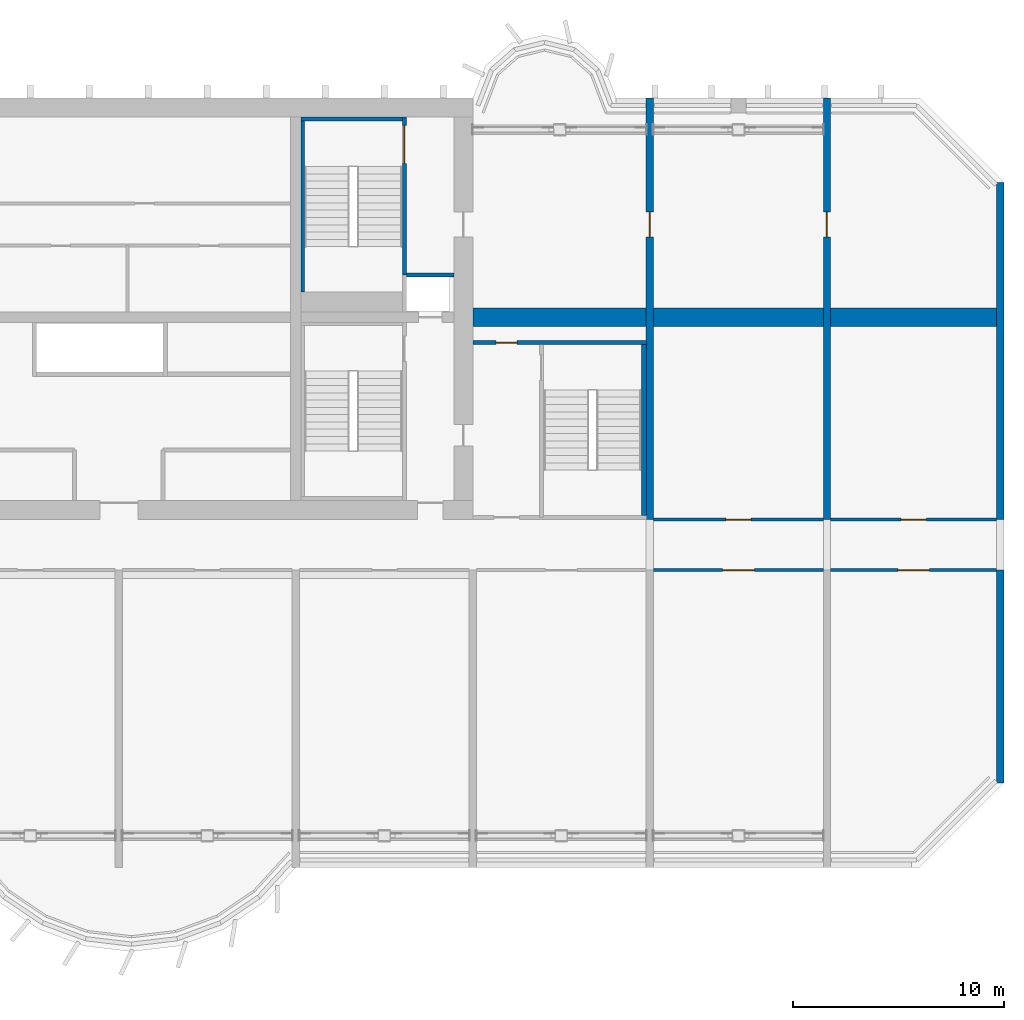
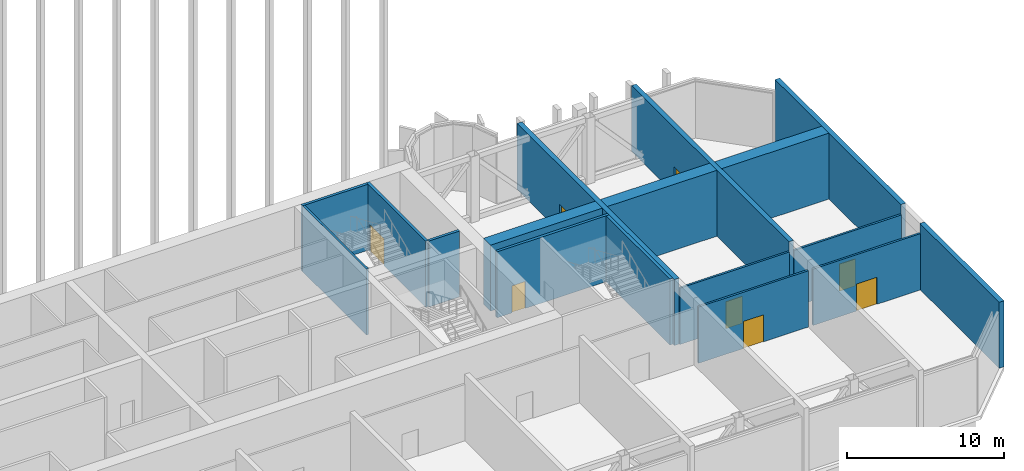
# One storey, part 8 of 17: 17 walls, 8 doors, 8 openings.
"""IFC4 building model written with IfcOpenShell, lengths in metres."""

from ifc_helpers import new_model, si_unit, direction, frame, frame_2d, origin, place, context, subcontext, project, spatial, rectangle, extrude, source, transform, mapped, material, layer, layer_set, type_object, element, fill, save


model = new_model("IFC4")

# Units and contexts
model_context = context("Model", 3, precision=1e-05, world=origin(), true_north=direction((0.0, 1.0)))
body_context = subcontext(model_context, "Body", "Model", "MODEL_VIEW")
ifc_project = project(units=[si_unit("LENGTHUNIT", "METRE"), si_unit("AREAUNIT", "SQUARE_METRE"), si_unit("VOLUMEUNIT", "CUBIC_METRE"), si_unit("PLANEANGLEUNIT", "RADIAN"), si_unit("MASSUNIT", "GRAM", prefix="KILO")], contexts=[model_context])

# Site, building, storey
site_placement = place(None, origin())
site = spatial("IfcSite", under=ifc_project, at=site_placement, CompositionType="ELEMENT")
building_placement = place(site_placement, origin())
building = spatial("IfcBuilding", under=site, at=building_placement, Name="Vanashikhar Sky Hotel", CompositionType="ELEMENT")
storey_placement = place(building_placement, frame((0.0, 0.0, 140.800048828125)))
storey = spatial("IfcBuildingStorey", under=building, at=storey_placement, Name="L34", CompositionType="ELEMENT", Elevation=140.800048828125)

# Walls
ifc_material_1 = material(Name="Concrete M70", Category="concrete")
ifc_layer_1 = layer(ifc_material_1, 0.35009765625)
ifc_layer_set_1 = layer_set([ifc_layer_1], Name="RC shear wall 350 Concrete M70")
wall_type_1 = type_object("IfcWallType", Name="RC shear wall 350 Concrete M70", PredefinedType="SHEAR", material=ifc_layer_set_1)
shared_shape_1 = source(origin(), body_context, "Body", "SweptSolid", [
    extrude(rectangle(XDim=10.10009765625, YDim=0.35009765625, at=frame_2d((5.050048828125, 0.0))), origin(), (0.0, 0.0, 1.0), 5.119873046875),
])
wall_1_placement = place(storey_placement, frame((100.625, 9.5, 0.0), z_axis=(0.0, 0.0, 1.0), x_axis=(0.0, 1.0, 0.0)))
element("IfcWall", 1, at=wall_1_placement, inside=storey, type_object=wall_type_1, Name="CW-L34-XW13-1", PredefinedType="SHEAR", context=body_context, shape_type="MappedRepresentation", body=[
    mapped(shared_shape_1, transform((0.0, 0.0, 0.0), scale=1.0)),
])
shared_shape_2 = source(origin(), body_context, "Body", "SweptSolid", [
    extrude(rectangle(XDim=16.0, YDim=0.35009765625, at=frame_2d((8.0, 0.0))), origin(), (0.0, 0.0, 1.0), 5.119873046875),
])
wall_2_placement = place(storey_placement, frame((100.625, 22.0, 0.0), z_axis=(0.0, 0.0, 1.0), x_axis=(0.0, 1.0, 0.0)))
element("IfcWall", 2, at=wall_2_placement, inside=storey, type_object=wall_type_1, Name="CW-L34-XW13-2", PredefinedType="SHEAR", context=body_context, shape_type="MappedRepresentation", body=[
    mapped(shared_shape_2, transform((0.0, 0.0, 0.0), scale=1.0)),
])

# Wall, opening, door
shared_shape_3 = source(origin(), body_context, "Body", "SweptSolid", [
    extrude(rectangle(XDim=20.0, YDim=0.35009765625, at=frame_2d((10.0, 0.0))), origin(), (0.0, 0.0, 1.0), 5.119873046875),
])
wall_3_placement = place(storey_placement, frame((84.0, 22.0, 0.0), z_axis=(0.0, 0.0, 1.0), x_axis=(0.0, 1.0, 0.0)))
wall_3 = element("IfcWall", 3, at=wall_3_placement, inside=storey, type_object=wall_type_1, Name="CW-L34-XW11-2", PredefinedType="SHEAR", context=body_context, shape_type="MappedRepresentation", body=[
    mapped(shared_shape_3, transform((0.0, 0.0, 0.0), scale=1.0)),
])
shared_shape_4 = source(origin(), body_context, "Body", "SweptSolid", [
    extrude(rectangle(XDim=1.199951171875, YDim=2.10009765625, at=frame_2d((0.60009765625, 1.050048828125))), frame((0.0, 0.18505859375, 0.0), z_axis=(0.0, -1.0, 0.0), x_axis=(1.0, 0.0, 0.0)), (0.0, 0.0, 1.0), 0.3701171875),
])
opening_1_placement = place(wall_3_placement, frame((13.39990234375, 0.0, 0.0)))
opening_1 = element("IfcOpeningElement", 4, at=opening_1_placement, cuts=wall_3, Name="Opening DC-4-D", PredefinedType="OPENING", context=body_context, shape_type="MappedRepresentation", body=[
    mapped(shared_shape_4, transform((0.0, 0.0, 0.0), scale=1.0)),
])
ifc_material_2 = material(Name="Steel", Category="steel")
door_type_1 = type_object("IfcDoorType", Name="Service door 1200 FD120", OperationType="NOTDEFINED", PredefinedType="DOOR", material=ifc_material_2)
shared_shape_5 = source(origin(), body_context, "Body", "SweptSolid", [
    extrude(rectangle(XDim=1.199951171875, YDim=2.10009765625, at=frame_2d((0.60009765625, 1.050048828125))), frame((0.0, 0.02490234375, 0.0), z_axis=(0.0, -1.0, 0.0), x_axis=(1.0, 0.0, 0.0)), (0.0, 0.0, 1.0), 0.050048828125),
])
door_1_placement = place(opening_1_placement, origin())
door_1 = element("IfcDoor", 5, at=door_1_placement, inside=storey, type_object=door_type_1, Name="Service door 1200 FD120", OperationType="SINGLE_SWING_LEFT", OverallHeight=2.10009765625, OverallWidth=1.199951171875, PredefinedType="DOOR", context=body_context, shape_type="MappedRepresentation", body=[
    mapped(shared_shape_5, transform((0.0, 0.0, 0.0), scale=1.0)),
])
fill(opening_1, door_1)

wall_4_placement = place(storey_placement, frame((92.39990234375, 22.0, 0.0), z_axis=(0.0, 0.0, 1.0), x_axis=(0.0, 1.0, 0.0)))
wall_4 = element("IfcWall", 6, at=wall_4_placement, inside=storey, type_object=wall_type_1, Name="CW-L34-XW12-2", PredefinedType="SHEAR", context=body_context, shape_type="MappedRepresentation", body=[
    mapped(shared_shape_3, transform((0.0, 0.0, 0.0), scale=1.0)),
])
opening_2_placement = place(wall_4_placement, frame((13.39990234375, 0.0, 0.0)))
opening_2 = element("IfcOpeningElement", 7, at=opening_2_placement, cuts=wall_4, Name="Opening DC-4-D", PredefinedType="OPENING", context=body_context, shape_type="MappedRepresentation", body=[
    mapped(shared_shape_4, transform((0.0, 0.0, 0.0), scale=1.0)),
])
door_2_placement = place(opening_2_placement, origin())
door_2 = element("IfcDoor", 8, at=door_2_placement, inside=storey, type_object=door_type_1, Name="Service door 1200 FD120", OperationType="SINGLE_SWING_RIGHT", OverallHeight=2.10009765625, OverallWidth=1.199951171875, PredefinedType="DOOR", context=body_context, shape_type="MappedRepresentation", body=[
    mapped(shared_shape_5, transform((0.0, 0.0, 0.0), scale=1.0)),
])
fill(opening_2, door_2)

# Walls
ifc_layer_2 = layer(ifc_material_1, 0.89990234375)
ifc_layer_set_2 = layer_set([ifc_layer_2], Name="RC outrigger wall 900 Concrete M70")
wall_type_2 = type_object("IfcWallType", Name="RC outrigger wall 900 Concrete M70", PredefinedType="SHEAR", material=ifc_layer_set_2)
shared_shape_6 = source(origin(), body_context, "Body", "SweptSolid", [
    extrude(rectangle(XDim=7.875, YDim=0.89990234375, at=frame_2d((3.9375, 0.0))), origin(), (0.0, 0.0, 1.0), 5.119873046875),
])
wall_5_placement = place(storey_placement, frame((92.574951171875, 31.60009765625, 0.0), z_axis=(0.0, 0.0, 1.0), x_axis=(1.0, 0.0, 0.0)))
element("IfcWall", 9, at=wall_5_placement, inside=storey, type_object=wall_type_2, Name="OW-L34-06", PredefinedType="SHEAR", context=body_context, shape_type="MappedRepresentation", body=[
    mapped(shared_shape_6, transform((0.0, 0.0, 0.0), scale=1.0)),
])
shared_shape_7 = source(origin(), body_context, "Body", "SweptSolid", [
    extrude(rectangle(XDim=8.050048828125, YDim=0.89990234375, at=frame_2d((4.02490234375, 0.0))), origin(), (0.0, 0.0, 1.0), 5.119873046875),
])
wall_6_placement = place(storey_placement, frame((84.175048828125, 31.60009765625, 0.0), z_axis=(0.0, 0.0, 1.0), x_axis=(1.0, 0.0, 0.0)))
element("IfcWall", 10, at=wall_6_placement, inside=storey, type_object=wall_type_2, Name="OW-L34-05", PredefinedType="SHEAR", context=body_context, shape_type="MappedRepresentation", body=[
    mapped(shared_shape_7, transform((0.0, 0.0, 0.0), scale=1.0)),
])
shared_shape_8 = source(origin(), body_context, "Body", "SweptSolid", [
    extrude(rectangle(XDim=8.224853515625, YDim=0.89990234375, at=frame_2d((4.1123046875, 0.0))), origin(), (0.0, 0.0, 1.0), 5.119873046875),
])
wall_7_placement = place(storey_placement, frame((75.60009765625, 31.60009765625, 0.0), z_axis=(0.0, 0.0, 1.0), x_axis=(1.0, 0.0, 0.0)))
element("IfcWall", 11, at=wall_7_placement, inside=storey, type_object=wall_type_2, Name="OW-L34-04", PredefinedType="SHEAR", context=body_context, shape_type="MappedRepresentation", body=[
    mapped(shared_shape_8, transform((0.0, 0.0, 0.0), scale=1.0)),
])

# Wall, opening, door
ifc_material_3 = material(Name="Concrete M50", Category="concrete")
ifc_layer_3 = layer(ifc_material_3, 0.199951171875)
ifc_layer_set_3 = layer_set([ifc_layer_3], Name="Stair wall 200")
wall_type_3 = type_object("IfcWallType", Name="Stair wall 200", PredefinedType="SOLIDWALL", material=ifc_layer_set_3)
shared_shape_9 = source(origin(), body_context, "Body", "SweptSolid", [
    extrude(rectangle(XDim=7.5, YDim=0.199951171875, at=frame_2d((3.75, 0.0))), origin(), (0.0, 0.0, 1.0), 5.119873046875),
])
wall_8_placement = place(storey_placement, frame((72.35009765625, 33.60009765625, 0.0), z_axis=(0.0, 0.0, 1.0), x_axis=(0.0, 1.0, 0.0)))
wall_8 = element("IfcWall", 12, at=wall_8_placement, inside=storey, type_object=wall_type_3, Name="Stair wall 200", PredefinedType="SOLIDWALL", context=body_context, shape_type="MappedRepresentation", body=[
    mapped(shared_shape_9, transform((0.0, 0.0, 0.0), scale=1.0)),
])
shared_shape_10 = source(origin(), body_context, "Body", "SweptSolid", [
    extrude(rectangle(XDim=1.800048828125, YDim=2.10009765625, at=frame_2d((0.89990234375, 1.050048828125))), frame((0.0, 0.10986328125, 0.0), z_axis=(0.0, -1.0, 0.0), x_axis=(1.0, 0.0, 0.0)), (0.0, 0.0, 1.0), 0.219970703125),
])
opening_3_placement = place(wall_8_placement, frame((5.300048828125, 0.0, 0.0)))
opening_3 = element("IfcOpeningElement", 13, at=opening_3_placement, cuts=wall_8, Name="Opening DC-1-A", PredefinedType="OPENING", context=body_context, shape_type="MappedRepresentation", body=[
    mapped(shared_shape_10, transform((0.0, 0.0, 0.0), scale=1.0)),
])
door_type_2 = type_object("IfcDoorType", Name="Stair door 1800 FD120", OperationType="NOTDEFINED", PredefinedType="DOOR", material=ifc_material_2)
shared_shape_11 = source(origin(), body_context, "Body", "SweptSolid", [
    extrude(rectangle(XDim=1.800048828125, YDim=2.10009765625, at=frame_2d((0.89990234375, 1.050048828125))), frame((0.0, 0.02490234375, 0.0), z_axis=(0.0, -1.0, 0.0), x_axis=(1.0, 0.0, 0.0)), (0.0, 0.0, 1.0), 0.050048828125),
])
door_3_placement = place(opening_3_placement, origin())
door_3 = element("IfcDoor", 14, at=door_3_placement, inside=storey, type_object=door_type_2, Name="Stair door 1800 FD120", OperationType="SINGLE_SWING_RIGHT", OverallHeight=2.10009765625, OverallWidth=1.800048828125, PredefinedType="DOOR", context=body_context, shape_type="MappedRepresentation", body=[
    mapped(shared_shape_11, transform((0.0, 0.0, 0.0), scale=1.0)),
])
fill(opening_3, door_3)

# Wall
ifc_material_4 = material(Name="Concrete M40", Category="concrete")
ifc_layer_4 = layer(ifc_material_4, 0.199951171875)
ifc_layer_set_4 = layer_set([ifc_layer_4], Name="Shaft wall 200")
wall_type_4 = type_object("IfcWallType", Name="Shaft wall 200", PredefinedType="SOLIDWALL", material=ifc_layer_set_4)
shared_shape_12 = source(origin(), body_context, "Body", "SweptSolid", [
    extrude(rectangle(XDim=2.25, YDim=0.199951171875, at=frame_2d((1.125, 0.0))), origin(), (0.0, 0.0, 1.0), 5.119873046875),
])
wall_9_placement = place(storey_placement, frame((72.449951171875, 33.60009765625, 0.0), z_axis=(0.0, 0.0, 1.0), x_axis=(1.0, 0.0, 0.0)))
element("IfcWall", 15, at=wall_9_placement, inside=storey, type_object=wall_type_4, Name="Shaft wall 200", PredefinedType="SOLIDWALL", context=body_context, shape_type="MappedRepresentation", body=[
    mapped(shared_shape_12, transform((0.0, 0.0, 0.0), scale=1.0)),
])

# Wall, opening, door
shared_shape_13 = source(origin(), body_context, "Body", "SweptSolid", [
    extrude(rectangle(XDim=8.224853515625, YDim=0.199951171875, at=frame_2d((4.1123046875, 0.0))), origin(), (0.0, 0.0, 1.0), 5.119873046875),
])
wall_10_placement = place(storey_placement, frame((83.824951171875, 30.39990234375, 0.0), z_axis=(0.0, 0.0, 1.0), x_axis=(-1.0, 0.0, 0.0)))
wall_10 = element("IfcWall", 16, at=wall_10_placement, inside=storey, type_object=wall_type_3, Name="Stair wall 200", PredefinedType="SOLIDWALL", context=body_context, shape_type="MappedRepresentation", body=[
    mapped(shared_shape_13, transform((0.0, 0.0, 0.0), scale=1.0)),
])
shared_shape_14 = source(origin(), body_context, "Body", "SweptSolid", [
    extrude(rectangle(XDim=1.0, YDim=2.10009765625, at=frame_2d((0.5, 1.050048828125))), frame((0.0, 0.10986328125, 0.0), z_axis=(0.0, -1.0, 0.0), x_axis=(1.0, 0.0, 0.0)), (0.0, 0.0, 1.0), 0.219970703125),
])
opening_4_placement = place(wall_10_placement, frame((6.125, 0.0, 0.0)))
opening_4 = element("IfcOpeningElement", 17, at=opening_4_placement, cuts=wall_10, Name="Opening DC-6", PredefinedType="OPENING", context=body_context, shape_type="MappedRepresentation", body=[
    mapped(shared_shape_14, transform((0.0, 0.0, 0.0), scale=1.0)),
])
door_type_3 = type_object("IfcDoorType", Name="Pocket door 1000 FD60", OperationType="NOTDEFINED", PredefinedType="DOOR", material=ifc_material_2)
shared_shape_15 = source(origin(), body_context, "Body", "SweptSolid", [
    extrude(rectangle(XDim=1.0, YDim=2.10009765625, at=frame_2d((0.5, 1.050048828125))), frame((0.0, 0.02490234375, 0.0), z_axis=(0.0, -1.0, 0.0), x_axis=(1.0, 0.0, 0.0)), (0.0, 0.0, 1.0), 0.050048828125),
])
door_4_placement = place(opening_4_placement, origin())
door_4 = element("IfcDoor", 18, at=door_4_placement, inside=storey, type_object=door_type_3, Name="Pocket door 1000 FD60", OperationType="SINGLE_SWING_RIGHT", OverallHeight=2.10009765625, OverallWidth=1.0, PredefinedType="DOOR", context=body_context, shape_type="MappedRepresentation", body=[
    mapped(shared_shape_15, transform((0.0, 0.0, 0.0), scale=1.0)),
])
fill(opening_4, door_4)

# Walls
ifc_layer_5 = layer(ifc_material_3, 0.199951171875)
ifc_layer_set_5 = layer_set([ifc_layer_5], Name="Stair infill wall 200")
wall_type_5 = type_object("IfcWallType", Name="Stair infill wall 200", PredefinedType="SOLIDWALL", material=ifc_layer_set_5)
shared_shape_16 = source(origin(), body_context, "Body", "SweptSolid", [
    extrude(rectangle(XDim=4.800048828125, YDim=0.199951171875, at=frame_2d((2.39990234375, 0.0))), origin(), (0.0, 0.0, 1.0), 5.119873046875),
])
wall_11_placement = place(storey_placement, frame((67.449951171875, 41.0, 0.0), z_axis=(0.0, 0.0, 1.0), x_axis=(1.0, 0.0, 0.0)))
element("IfcWall", 19, at=wall_11_placement, inside=storey, type_object=wall_type_5, Name="Stair infill wall 200", PredefinedType="SOLIDWALL", context=body_context, shape_type="MappedRepresentation", body=[
    mapped(shared_shape_16, transform((0.0, 0.0, 0.0), scale=1.0)),
])
ifc_layer_6 = layer(ifc_material_3, 0.14990234375)
ifc_layer_set_6 = layer_set([ifc_layer_6], Name="Stair infill wall 150")
wall_type_6 = type_object("IfcWallType", Name="Stair infill wall 150", PredefinedType="SOLIDWALL", material=ifc_layer_set_6)
shared_shape_17 = source(origin(), body_context, "Body", "SweptSolid", [
    extrude(rectangle(XDim=8.099853515625, YDim=0.14990234375, at=frame_2d((4.0498046875, 0.0))), origin(), (0.0, 0.0, 1.0), 5.119873046875),
])
wall_12_placement = place(storey_placement, frame((67.52490234375, 32.800048828125, 0.0), z_axis=(0.0, 0.0, 1.0), x_axis=(0.0, 1.0, 0.0)))
element("IfcWall", 20, at=wall_12_placement, inside=storey, type_object=wall_type_6, Name="Stair infill wall 150", PredefinedType="SOLIDWALL", context=body_context, shape_type="MappedRepresentation", body=[
    mapped(shared_shape_17, transform((0.0, 0.0, 0.0), scale=1.0)),
])
ifc_layer_7 = layer(ifc_material_3, 0.22509765625)
ifc_layer_set_7 = layer_set([ifc_layer_7], Name="Stair infill wall 225")
wall_type_7 = type_object("IfcWallType", Name="Stair infill wall 225", PredefinedType="SOLIDWALL", material=ifc_layer_set_7)
shared_shape_18 = source(origin(), body_context, "Body", "SweptSolid", [
    extrude(rectangle(XDim=8.10009765625, YDim=0.22509765625, at=frame_2d((4.050048828125, 0.0))), origin(), (0.0, 0.0, 1.0), 5.119873046875),
])
wall_13_placement = place(storey_placement, frame((83.712890625, 22.199951171875, 0.0), z_axis=(0.0, 0.0, 1.0), x_axis=(0.0, 1.0, 0.0)))
element("IfcWall", 21, at=wall_13_placement, inside=storey, type_object=wall_type_7, Name="Stair infill wall 225", PredefinedType="SOLIDWALL", context=body_context, shape_type="MappedRepresentation", body=[
    mapped(shared_shape_18, transform((0.0, 0.0, 0.0), scale=1.0)),
])

# Wall, opening, door
ifc_material_5 = material(Name="Gypsum board partition")
ifc_layer_8 = layer(ifc_material_5, 0.14990234375)
ifc_layer_set_8 = layer_set([ifc_layer_8], Name="Service partition 150")
wall_type_8 = type_object("IfcWallType", Name="Service partition 150", PredefinedType="PARTITIONING", material=ifc_layer_set_8)
shared_shape_19 = source(origin(), body_context, "Body", "SweptSolid", [
    extrude(rectangle(XDim=7.875, YDim=0.14990234375, at=frame_2d((3.9375, 0.0))), origin(), (0.0, 0.0, 1.0), 4.369873046875),
])
wall_14_placement = place(storey_placement, frame((92.574951171875, 19.60009765625, 0.0), z_axis=(0.0, 0.0, 1.0), x_axis=(1.0, 0.0, 0.0)))
wall_14 = element("IfcWall", 22, at=wall_14_placement, inside=storey, type_object=wall_type_8, Name="Service partition 150", PredefinedType="PARTITIONING", context=body_context, shape_type="MappedRepresentation", body=[
    mapped(shared_shape_19, transform((0.0, 0.0, 0.0), scale=1.0)),
])
shared_shape_20 = source(origin(), body_context, "Body", "SweptSolid", [
    extrude(rectangle(XDim=1.5, YDim=2.10009765625, at=frame_2d((0.75, 1.050048828125))), frame((0.0, 0.0849609375, 0.0), z_axis=(0.0, -1.0, 0.0), x_axis=(1.0, 0.0, 0.0)), (0.0, 0.0, 1.0), 0.169921875),
])
opening_5_placement = place(wall_14_placement, frame((3.18798828125, 0.0, 0.0)))
opening_5 = element("IfcOpeningElement", 23, at=opening_5_placement, cuts=wall_14, Name="Opening DC-4-E", PredefinedType="OPENING", context=body_context, shape_type="MappedRepresentation", body=[
    mapped(shared_shape_20, transform((0.0, 0.0, 0.0), scale=1.0)),
])
door_type_4 = type_object("IfcDoorType", Name="Service door 1500 FD60", OperationType="NOTDEFINED", PredefinedType="DOOR", material=ifc_material_2)
shared_shape_21 = source(origin(), body_context, "Body", "SweptSolid", [
    extrude(rectangle(XDim=1.5, YDim=2.10009765625, at=frame_2d((0.75, 1.050048828125))), frame((0.0, 0.02490234375, 0.0), z_axis=(0.0, -1.0, 0.0), x_axis=(1.0, 0.0, 0.0)), (0.0, 0.0, 1.0), 0.050048828125),
])
door_5_placement = place(opening_5_placement, origin())
door_5 = element("IfcDoor", 24, at=door_5_placement, inside=storey, type_object=door_type_4, Name="Service door 1500 FD60", OperationType="SINGLE_SWING_LEFT", OverallHeight=2.10009765625, OverallWidth=1.5, PredefinedType="DOOR", context=body_context, shape_type="MappedRepresentation", body=[
    mapped(shared_shape_21, transform((0.0, 0.0, 0.0), scale=1.0)),
])
fill(opening_5, door_5)

wall_15_placement = place(storey_placement, frame((92.574951171875, 22.0, 0.0), z_axis=(0.0, 0.0, 1.0), x_axis=(1.0, 0.0, 0.0)))
wall_15 = element("IfcWall", 25, at=wall_15_placement, inside=storey, type_object=wall_type_8, Name="Service partition 150", PredefinedType="PARTITIONING", context=body_context, shape_type="MappedRepresentation", body=[
    mapped(shared_shape_19, transform((0.0, 0.0, 0.0), scale=1.0)),
])
shared_shape_22 = source(origin(), body_context, "Body", "SweptSolid", [
    extrude(rectangle(XDim=1.199951171875, YDim=2.10009765625, at=frame_2d((0.60009765625, 1.050048828125))), frame((0.0, 0.0849609375, 0.0), z_axis=(0.0, -1.0, 0.0), x_axis=(1.0, 0.0, 0.0)), (0.0, 0.0, 1.0), 0.169921875),
])
opening_6_placement = place(wall_15_placement, frame((3.337890625, 0.0, 0.0)))
opening_6 = element("IfcOpeningElement", 26, at=opening_6_placement, cuts=wall_15, Name="Opening DC-4-D", PredefinedType="OPENING", context=body_context, shape_type="MappedRepresentation", body=[
    mapped(shared_shape_22, transform((0.0, 0.0, 0.0), scale=1.0)),
])
door_6_placement = place(opening_6_placement, origin())
door_6 = element("IfcDoor", 27, at=door_6_placement, inside=storey, type_object=door_type_1, Name="Service door 1200 FD120", OperationType="SINGLE_SWING_LEFT", OverallHeight=2.10009765625, OverallWidth=1.199951171875, PredefinedType="DOOR", context=body_context, shape_type="MappedRepresentation", body=[
    mapped(shared_shape_5, transform((0.0, 0.0, 0.0), scale=1.0)),
])
fill(opening_6, door_6)

shared_shape_23 = source(origin(), body_context, "Body", "SweptSolid", [
    extrude(rectangle(XDim=8.050048828125, YDim=0.14990234375, at=frame_2d((4.02490234375, 0.0))), origin(), (0.0, 0.0, 1.0), 4.369873046875),
])
wall_16_placement = place(storey_placement, frame((84.175048828125, 19.60009765625, 0.0), z_axis=(0.0, 0.0, 1.0), x_axis=(1.0, 0.0, 0.0)))
wall_16 = element("IfcWall", 28, at=wall_16_placement, inside=storey, type_object=wall_type_8, Name="Service partition 150", PredefinedType="PARTITIONING", context=body_context, shape_type="MappedRepresentation", body=[
    mapped(shared_shape_23, transform((0.0, 0.0, 0.0), scale=1.0)),
])
opening_7_placement = place(wall_16_placement, frame((3.27490234375, 0.0, 0.0)))
opening_7 = element("IfcOpeningElement", 29, at=opening_7_placement, cuts=wall_16, Name="Opening DC-4-E", PredefinedType="OPENING", context=body_context, shape_type="MappedRepresentation", body=[
    mapped(shared_shape_20, transform((0.0, 0.0, 0.0), scale=1.0)),
])
door_7_placement = place(opening_7_placement, origin())
door_7 = element("IfcDoor", 30, at=door_7_placement, inside=storey, type_object=door_type_4, Name="Service door 1500 FD60", OperationType="SINGLE_SWING_LEFT", OverallHeight=2.10009765625, OverallWidth=1.5, PredefinedType="DOOR", context=body_context, shape_type="MappedRepresentation", body=[
    mapped(shared_shape_21, transform((0.0, 0.0, 0.0), scale=1.0)),
])
fill(opening_7, door_7)

wall_17_placement = place(storey_placement, frame((84.175048828125, 22.0, 0.0), z_axis=(0.0, 0.0, 1.0), x_axis=(1.0, 0.0, 0.0)))
wall_17 = element("IfcWall", 31, at=wall_17_placement, inside=storey, type_object=wall_type_8, Name="Service partition 150", PredefinedType="PARTITIONING", context=body_context, shape_type="MappedRepresentation", body=[
    mapped(shared_shape_23, transform((0.0, 0.0, 0.0), scale=1.0)),
])
opening_8_placement = place(wall_17_placement, frame((3.425048828125, 0.0, 0.0)))
opening_8 = element("IfcOpeningElement", 32, at=opening_8_placement, cuts=wall_17, Name="Opening DC-4-D", PredefinedType="OPENING", context=body_context, shape_type="MappedRepresentation", body=[
    mapped(shared_shape_22, transform((0.0, 0.0, 0.0), scale=1.0)),
])
door_8_placement = place(opening_8_placement, origin())
door_8 = element("IfcDoor", 33, at=door_8_placement, inside=storey, type_object=door_type_1, Name="Service door 1200 FD120", OperationType="SINGLE_SWING_LEFT", OverallHeight=2.10009765625, OverallWidth=1.199951171875, PredefinedType="DOOR", context=body_context, shape_type="MappedRepresentation", body=[
    mapped(shared_shape_5, transform((0.0, 0.0, 0.0), scale=1.0)),
])
fill(opening_8, door_8)

save(model, "model.ifc")
